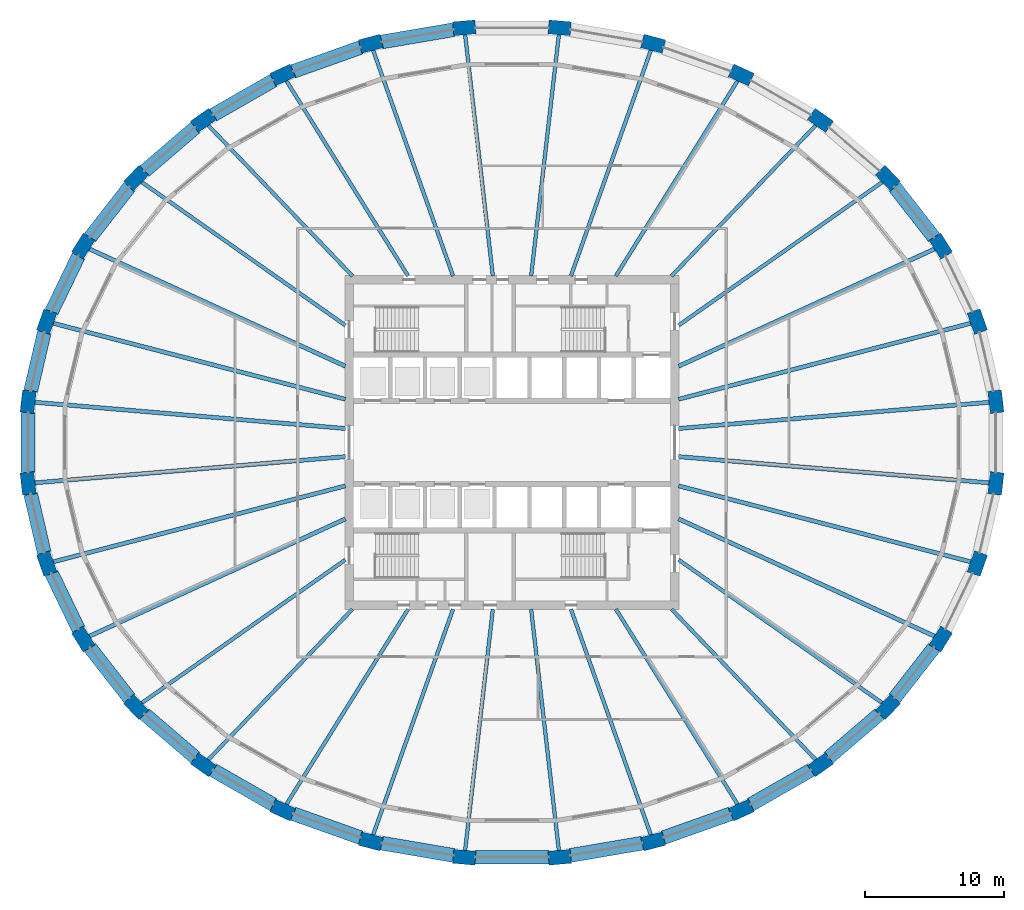
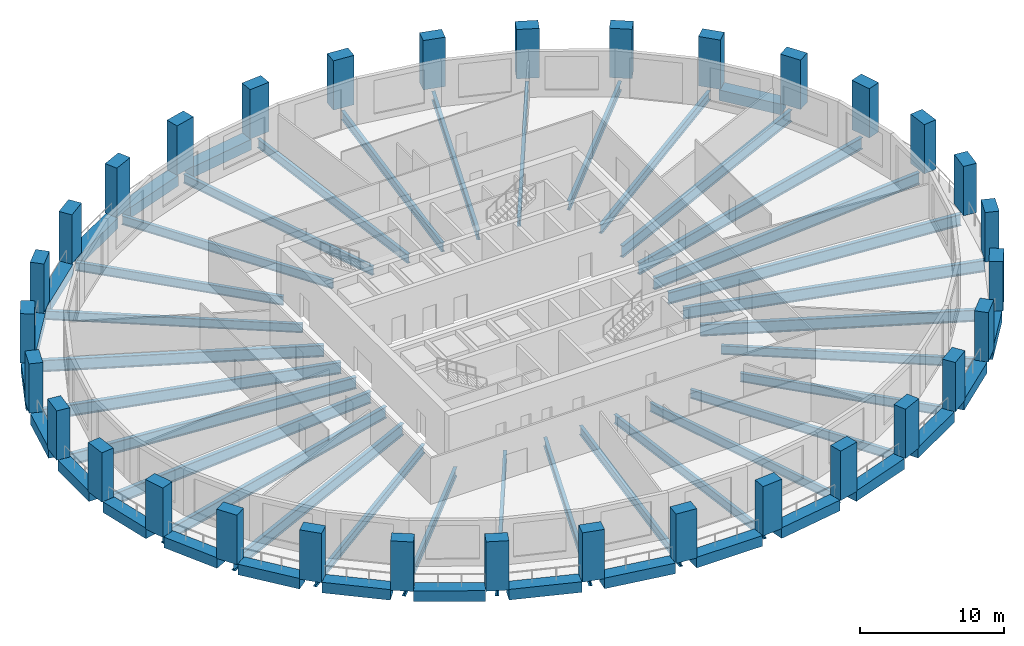
# One storey, part 1 of 10: 54 beams, 32 columns.
"""IFC4 building model written with IfcOpenShell, lengths in metres."""

from ifc_helpers import new_model, si_unit, direction, frame, origin, origin_2d, place, context, subcontext, project, spatial, rectangle, i_section, extrude, material, material_profile, profile_set, type_object, element, save


model = new_model("IFC4")

# Units and contexts
model_context = context("Model", 3, precision=1e-05, world=origin(), true_north=direction((0.0, 1.0)))
body_context = subcontext(model_context, "Body", "Model", "MODEL_VIEW")
ifc_project = project(units=[si_unit("LENGTHUNIT", "METRE"), si_unit("AREAUNIT", "SQUARE_METRE"), si_unit("VOLUMEUNIT", "CUBIC_METRE"), si_unit("PLANEANGLEUNIT", "RADIAN"), si_unit("MASSUNIT", "GRAM", prefix="KILO")], contexts=[model_context])

# Site, building, storey
site_placement = place(None, origin())
site = spatial("IfcSite", under=ifc_project, at=site_placement, CompositionType="ELEMENT")
building_placement = place(site_placement, origin())
building = spatial("IfcBuilding", under=site, at=building_placement, Name="Halqa Exchange Tower", CompositionType="ELEMENT")
storey_placement = place(building_placement, frame((0.0, 0.0, 117.10009765625)))
storey = spatial("IfcBuildingStorey", under=building, at=storey_placement, Name="L26", CompositionType="ELEMENT", Elevation=117.10009765625)

# Columns
ifc_material_1 = material(Name="Concrete C70/85", Category="concrete")
ifc_material_profile_1 = material_profile(ifc_material_1, rectangle(XDim=1.60009765625, YDim=1.0, at=origin_2d()), Name="1600 x 1000")
ifc_profile_set_1 = profile_set([ifc_material_profile_1], Name="Concrete C70/85")
column_type = type_object("IfcColumnType", Name="RC ring column 1600 x 1000 C70/85", PredefinedType="COLUMN", material=ifc_profile_set_1)
for number, where, z_axis, x_axis, name in (
    (1, (34.779052734375, 2.93603515625, 0.0), (0.0, 0.0, 1.0), (-0.114151720218, 0.993463328348, 0.0), "Ring column 1"),
    (2, (33.442626953125, 8.6953125, 0.0), (0.0, 0.0, 1.0), (-0.333624233576, 0.942706142321, 0.0), "Ring column 2"),
    (3, (30.82080078125, 14.12060546875, 0.0), (0.0, 0.0, 1.0), (-0.529141977228, 0.848533303964, 0.0), "Ring column 3"),
    (4, (27.0146484375, 19.003173828125, 0.0), (0.0, 0.0, 1.0), (-0.691573569977, 0.722306027463, 0.0), "Ring column 4"),
    (5, (22.17041015625, 23.155517578125, 0.0), (0.0, 0.0, 1.0), (-0.817906779671, 0.575350762377, 0.0), "Ring column 5"),
    (6, (16.47412109375, 26.41796875, 0.0), (0.0, 0.0, 1.0), (-0.909127095833, 0.416518815449, 0.0), "Ring column 6"),
    (7, (10.144775390625, 28.6650390625, 0.0), (0.0, 0.0, 1.0), (-0.967819942774, 0.251643713153, 0.0), "Ring column 7"),
    (8, (3.42529296875, 29.810791015625, 0.0), (0.0, 0.0, 1.0), (-0.996455518985, 0.084121333105, 0.0), "Ring column 8"),
    (9, (-3.42529296875, 29.810791015625, 0.0), (0.0, 0.0, 1.0), (-0.996455518985, -0.084121333105, 0.0), "Ring column 9"),
    (10, (-10.144775390625, 28.6650390625, 0.0), (0.0, 0.0, 1.0), (-0.967819942774, -0.251643713153, 0.0), "Ring column 10"),
    (11, (-16.47412109375, 26.41796875, 0.0), (0.0, 0.0, 1.0), (-0.909127095833, -0.416518815449, 0.0), "Ring column 11"),
    (12, (-22.17041015625, 23.155517578125, 0.0), (0.0, 0.0, 1.0), (-0.817906779671, -0.575350762377, 0.0), "Ring column 12"),
    (13, (-27.0146484375, 19.003173828125, 0.0), (0.0, 0.0, 1.0), (-0.691573569977, -0.722306027463, 0.0), "Ring column 13"),
    (14, (-30.82080078125, 14.12060546875, 0.0), (0.0, 0.0, 1.0), (-0.529141977228, -0.848533303964, 0.0), "Ring column 14"),
    (15, (-33.442626953125, 8.6953125, 0.0), (0.0, 0.0, 1.0), (-0.333624233576, -0.942706142321, 0.0), "Ring column 15"),
    (16, (-34.779052734375, 2.93603515625, 0.0), (0.0, 0.0, 1.0), (-0.114151720218, -0.993463328348, 0.0), "Ring column 16"),
    (17, (-34.779052734375, -2.93603515625, 0.0), (0.0, 0.0, 1.0), (0.114151720218, -0.993463328348, 0.0), "Ring column 17"),
    (18, (-33.442626953125, -8.6953125, 0.0), (0.0, 0.0, 1.0), (0.333624233576, -0.942706142321, 0.0), "Ring column 18"),
    (19, (-30.82080078125, -14.12060546875, 0.0), (0.0, 0.0, 1.0), (0.529141977228, -0.848533303964, 0.0), "Ring column 19"),
    (20, (-27.0146484375, -19.003173828125, 0.0), (0.0, 0.0, 1.0), (0.691573569977, -0.722306027463, 0.0), "Ring column 20"),
    (21, (-22.17041015625, -23.155517578125, 0.0), (0.0, 0.0, 1.0), (0.817906779671, -0.575350762377, 0.0), "Ring column 21"),
    (22, (-16.47412109375, -26.41796875, 0.0), (0.0, 0.0, 1.0), (0.909127095833, -0.416518815449, 0.0), "Ring column 22"),
    (23, (-10.144775390625, -28.6650390625, 0.0), (0.0, 0.0, 1.0), (0.967819942774, -0.251643713153, 0.0), "Ring column 23"),
    (24, (-3.42529296875, -29.810791015625, 0.0), (0.0, 0.0, 1.0), (0.996455518985, -0.084121333105, 0.0), "Ring column 24"),
    (25, (3.42529296875, -29.810791015625, 0.0), (0.0, 0.0, 1.0), (0.996455518985, 0.084121333105, 0.0), "Ring column 25"),
    (26, (10.144775390625, -28.6650390625, 0.0), (0.0, 0.0, 1.0), (0.967819942774, 0.251643713153, 0.0), "Ring column 26"),
    (27, (16.47412109375, -26.41796875, 0.0), (0.0, 0.0, 1.0), (0.909127095833, 0.416518815449, 0.0), "Ring column 27"),
    (28, (22.17041015625, -23.155517578125, 0.0), (0.0, 0.0, 1.0), (0.817906779671, 0.575350762377, 0.0), "Ring column 28"),
    (29, (27.0146484375, -19.003173828125, 0.0), (0.0, 0.0, 1.0), (0.691573569977, 0.722306027463, 0.0), "Ring column 29"),
    (30, (30.82080078125, -14.12060546875, 0.0), (0.0, 0.0, 1.0), (0.529141977228, 0.848533303964, 0.0), "Ring column 30"),
    (31, (33.442626953125, -8.6953125, 0.0), (0.0, 0.0, 1.0), (0.333624233576, 0.942706142321, 0.0), "Ring column 31"),
    (32, (34.779052734375, -2.93603515625, 0.0), (0.0, 0.0, 1.0), (0.114151720218, 0.993463328348, 0.0), "Ring column 32"),
):
    element("IfcColumn", number, at=place(storey_placement, frame(where, z_axis=z_axis, x_axis=x_axis)), inside=storey, type_object=column_type, Name=name, PredefinedType="COLUMN", context=body_context, shape_type="SweptSolid", body=[
        extrude(rectangle(XDim=1.60009765625, YDim=1.0, at=origin_2d()), origin(), (0.0, 0.0, 1.0), 4.199951171875),
    ])

# Beams
ifc_material_2 = material(Name="Steel S355", Category="steel")
ifc_material_profile_2 = material_profile(ifc_material_2, i_section(OverallWidth=0.300048828125, OverallDepth=0.989990234375, WebThickness=0.0166015625, FlangeThickness=0.031005859375, FilletRadius=0.030029296875, at=origin_2d()), Name="HEA 1000")
ifc_profile_set_2 = profile_set([ifc_material_profile_2], Name="Steel S355")
beam_type_1 = type_object("IfcBeamType", Name="Floor beam HEA 1000", PredefinedType="BEAM", material=ifc_profile_set_2)
beam_1_placement = place(storey_placement, frame((11.972412109375, 1.0107421875, -0.795166015625), z_axis=(0.996455592278, 0.084120464916, 0.0), x_axis=(-0.084120464916, 0.996455592278, 0.0)))
element("IfcBeam", 33, at=beam_1_placement, inside=storey, type_object=beam_type_1, Name="Radial beam 1", PredefinedType="BEAM", context=body_context, shape_type="SweptSolid", body=[
    extrude(i_section(OverallWidth=0.300048828125, OverallDepth=0.989990234375, WebThickness=0.0166015625, FlangeThickness=0.031005859375, FilletRadius=0.030029296875, at=origin_2d()), origin(), (0.0, 0.0, 1.0), 22.515869140625),
])
beam_2_placement = place(storey_placement, frame((11.97119140625, 3.112548828125, -0.795166015625), z_axis=(0.967818799343, 0.251648110738, 0.0), x_axis=(-0.251648110738, 0.967818799343, 0.0)))
element("IfcBeam", 34, at=beam_2_placement, inside=storey, type_object=beam_type_1, Name="Radial beam 2", PredefinedType="BEAM", context=body_context, shape_type="SweptSolid", body=[
    extrude(i_section(OverallWidth=0.300048828125, OverallDepth=0.989990234375, WebThickness=0.0166015625, FlangeThickness=0.031005859375, FilletRadius=0.030029296875, at=origin_2d()), origin(), (0.0, 0.0, 1.0), 21.811279296875),
])
for number, where, z_axis, x_axis, name in (
    (35, (11.972412109375, 5.485107421875, -0.795166015625), (0.909124057245, 0.416525447649, 0.0), (-0.416525447649, 0.909124057245, 0.0), "Radial beam 3"),
    (36, (-11.972412109375, 5.485107421875, -0.795166015625), (-0.909124057245, 0.416525447649, 0.0), (-0.416525447649, -0.909124057245, 0.0), "Radial beam 14"),
):
    element("IfcBeam", number, at=place(storey_placement, frame(where, z_axis=z_axis, x_axis=x_axis)), inside=storey, type_object=beam_type_1, Name=name, PredefinedType="BEAM", context=body_context, shape_type="SweptSolid", body=[
        extrude(i_section(OverallWidth=0.300048828125, OverallDepth=0.989990234375, WebThickness=0.0166015625, FlangeThickness=0.031005859375, FilletRadius=0.030029296875, at=origin_2d()), origin(), (0.0, 0.0, 1.0), 20.3564453125),
    ])
beam_3_placement = place(storey_placement, frame((-11.97119140625, 3.112548828125, -0.795166015625), z_axis=(-0.967818799343, 0.251648110738, 0.0), x_axis=(-0.251648110738, -0.967818799343, 0.0)))
element("IfcBeam", 37, at=beam_3_placement, inside=storey, type_object=beam_type_1, Name="Radial beam 15", PredefinedType="BEAM", context=body_context, shape_type="SweptSolid", body=[
    extrude(i_section(OverallWidth=0.300048828125, OverallDepth=0.989990234375, WebThickness=0.0166015625, FlangeThickness=0.031005859375, FilletRadius=0.030029296875, at=origin_2d()), origin(), (0.0, 0.0, 1.0), 21.811279296875),
])
for number, where, z_axis, x_axis, name in (
    (38, (-11.972412109375, 1.0107421875, -0.795166015625), (-0.996455592278, 0.084120464916, 0.0), (-0.084120464916, -0.996455592278, 0.0), "Radial beam 16"),
    (39, (-11.972412109375, -1.0107421875, -0.795166015625), (-0.996455592278, -0.084120464916, 0.0), (0.084120464916, -0.996455592278, 0.0), "Radial beam 17"),
):
    element("IfcBeam", number, at=place(storey_placement, frame(where, z_axis=z_axis, x_axis=x_axis)), inside=storey, type_object=beam_type_1, Name=name, PredefinedType="BEAM", context=body_context, shape_type="SweptSolid", body=[
        extrude(i_section(OverallWidth=0.300048828125, OverallDepth=0.989990234375, WebThickness=0.0166015625, FlangeThickness=0.031005859375, FilletRadius=0.030029296875, at=origin_2d()), origin(), (0.0, 0.0, 1.0), 22.515869140625),
    ])
beam_4_placement = place(storey_placement, frame((-11.97119140625, -3.112548828125, -0.795166015625), z_axis=(-0.967818799343, -0.251648110738, 0.0), x_axis=(0.251648110738, -0.967818799343, 0.0)))
element("IfcBeam", 40, at=beam_4_placement, inside=storey, type_object=beam_type_1, Name="Radial beam 18", PredefinedType="BEAM", context=body_context, shape_type="SweptSolid", body=[
    extrude(i_section(OverallWidth=0.300048828125, OverallDepth=0.989990234375, WebThickness=0.0166015625, FlangeThickness=0.031005859375, FilletRadius=0.030029296875, at=origin_2d()), origin(), (0.0, 0.0, 1.0), 21.811279296875),
])
for number, where, z_axis, x_axis, name in (
    (41, (-11.972412109375, -5.485107421875, -0.795166015625), (-0.909124057245, -0.416525447649, 0.0), (0.416525447649, -0.909124057245, 0.0), "Radial beam 19"),
    (42, (11.972412109375, -5.485107421875, -0.795166015625), (0.909124057245, -0.416525447649, 0.0), (0.416525447649, 0.909124057245, 0.0), "Radial beam 30"),
):
    element("IfcBeam", number, at=place(storey_placement, frame(where, z_axis=z_axis, x_axis=x_axis)), inside=storey, type_object=beam_type_1, Name=name, PredefinedType="BEAM", context=body_context, shape_type="SweptSolid", body=[
        extrude(i_section(OverallWidth=0.300048828125, OverallDepth=0.989990234375, WebThickness=0.0166015625, FlangeThickness=0.031005859375, FilletRadius=0.030029296875, at=origin_2d()), origin(), (0.0, 0.0, 1.0), 20.3564453125),
    ])
beam_5_placement = place(storey_placement, frame((11.97119140625, -3.112548828125, -0.795166015625), z_axis=(0.967818799343, -0.251648110738, 0.0), x_axis=(0.251648110738, 0.967818799343, 0.0)))
element("IfcBeam", 43, at=beam_5_placement, inside=storey, type_object=beam_type_1, Name="Radial beam 31", PredefinedType="BEAM", context=body_context, shape_type="SweptSolid", body=[
    extrude(i_section(OverallWidth=0.300048828125, OverallDepth=0.989990234375, WebThickness=0.0166015625, FlangeThickness=0.031005859375, FilletRadius=0.030029296875, at=origin_2d()), origin(), (0.0, 0.0, 1.0), 21.811279296875),
])
beam_6_placement = place(storey_placement, frame((11.972412109375, -1.0107421875, -0.795166015625), z_axis=(0.996455592278, -0.084120464916, 0.0), x_axis=(0.084120464916, 0.996455592278, 0.0)))
element("IfcBeam", 44, at=beam_6_placement, inside=storey, type_object=beam_type_1, Name="Radial beam 32", PredefinedType="BEAM", context=body_context, shape_type="SweptSolid", body=[
    extrude(i_section(OverallWidth=0.300048828125, OverallDepth=0.989990234375, WebThickness=0.0166015625, FlangeThickness=0.031005859375, FilletRadius=0.030029296875, at=origin_2d()), origin(), (0.0, 0.0, 1.0), 22.515869140625),
])
ifc_material_profile_3 = material_profile(ifc_material_2, i_section(OverallWidth=0.264892578125, OverallDepth=0.7529296875, WebThickness=0.01318359375, FlangeThickness=0.01708984375, FilletRadius=0.01708984375, at=origin_2d()), Name="IPE 750x147")
ifc_profile_set_3 = profile_set([ifc_material_profile_3], Name="Steel S355")
beam_type_2 = type_object("IfcBeamType", Name="Floor beam IPE 750x147", PredefinedType="BEAM", material=ifc_profile_set_3)
beam_7_placement = place(storey_placement, frame((11.97216796875, 8.421630859375, -0.676513671875), z_axis=(0.817908690116, 0.575348046518, 0.0), x_axis=(-0.575348046518, 0.817908690116, 0.0)))
element("IfcBeam", 45, at=beam_7_placement, inside=storey, type_object=beam_type_2, Name="Radial beam 4", PredefinedType="BEAM", context=body_context, shape_type="SweptSolid", body=[
    extrude(i_section(OverallWidth=0.264892578125, OverallDepth=0.7529296875, WebThickness=0.01318359375, FlangeThickness=0.01708984375, FilletRadius=0.01708984375, at=origin_2d()), origin(), (0.0, 0.0, 1.0), 18.015625),
])
beam_8_placement = place(storey_placement, frame((11.462890625, 11.97216796875, -0.676513671875), z_axis=(0.691578854381, 0.722300967861, 0.0), x_axis=(-0.722300967861, 0.691578854381, 0.0)))
element("IfcBeam", 46, at=beam_8_placement, inside=storey, type_object=beam_type_2, Name="Radial beam 5", PredefinedType="BEAM", context=body_context, shape_type="SweptSolid", body=[
    extrude(i_section(OverallWidth=0.264892578125, OverallDepth=0.7529296875, WebThickness=0.01318359375, FlangeThickness=0.01708984375, FilletRadius=0.01708984375, at=origin_2d()), origin(), (0.0, 0.0, 1.0), 15.106689453125),
])
beam_9_placement = place(storey_placement, frame((7.466064453125, 11.972412109375, -0.676513671875), z_axis=(0.529136571558, 0.848536674894, 0.0), x_axis=(-0.848536674894, 0.529136571558, 0.0)))
element("IfcBeam", 47, at=beam_9_placement, inside=storey, type_object=beam_type_2, Name="Radial beam 6", PredefinedType="BEAM", context=body_context, shape_type="SweptSolid", body=[
    extrude(i_section(OverallWidth=0.264892578125, OverallDepth=0.7529296875, WebThickness=0.01318359375, FlangeThickness=0.01708984375, FilletRadius=0.01708984375, at=origin_2d()), origin(), (0.0, 0.0, 1.0), 16.64794921875),
])
beam_10_placement = place(storey_placement, frame((4.23681640625, 11.9716796875, -0.676513671875), z_axis=(0.333633340588, 0.942702919295, 0.0), x_axis=(-0.942702919295, 0.333633340588, 0.0)))
element("IfcBeam", 48, at=beam_10_placement, inside=storey, type_object=beam_type_2, Name="Radial beam 7", PredefinedType="BEAM", context=body_context, shape_type="SweptSolid", body=[
    extrude(i_section(OverallWidth=0.264892578125, OverallDepth=0.7529296875, WebThickness=0.01318359375, FlangeThickness=0.01708984375, FilletRadius=0.01708984375, at=origin_2d()), origin(), (0.0, 0.0, 1.0), 17.333984375),
])
for number, where, z_axis, x_axis, name in (
    (49, (1.375732421875, 11.972900390625, -0.676513671875), (0.114147670823, 0.993463793626, 0.0), (-0.993463793626, 0.114147670823, 0.0), "Radial beam 8"),
    (50, (-1.375732421875, 11.972900390625, -0.676513671875), (-0.114147670823, 0.993463793626, 0.0), (-0.993463793626, -0.114147670823, 0.0), "Radial beam 9"),
):
    element("IfcBeam", number, at=place(storey_placement, frame(where, z_axis=z_axis, x_axis=x_axis)), inside=storey, type_object=beam_type_2, Name=name, PredefinedType="BEAM", context=body_context, shape_type="SweptSolid", body=[
        extrude(i_section(OverallWidth=0.264892578125, OverallDepth=0.7529296875, WebThickness=0.01318359375, FlangeThickness=0.01708984375, FilletRadius=0.01708984375, at=origin_2d()), origin(), (0.0, 0.0, 1.0), 17.583251953125),
    ])
beam_11_placement = place(storey_placement, frame((-4.23681640625, 11.9716796875, -0.676513671875), z_axis=(-0.333633340588, 0.942702919295, 0.0), x_axis=(-0.942702919295, -0.333633340588, 0.0)))
element("IfcBeam", 51, at=beam_11_placement, inside=storey, type_object=beam_type_2, Name="Radial beam 10", PredefinedType="BEAM", context=body_context, shape_type="SweptSolid", body=[
    extrude(i_section(OverallWidth=0.264892578125, OverallDepth=0.7529296875, WebThickness=0.01318359375, FlangeThickness=0.01708984375, FilletRadius=0.01708984375, at=origin_2d()), origin(), (0.0, 0.0, 1.0), 17.333984375),
])
beam_12_placement = place(storey_placement, frame((-7.466064453125, 11.972412109375, -0.676513671875), z_axis=(-0.529136571558, 0.848536674894, 0.0), x_axis=(-0.848536674894, -0.529136571558, 0.0)))
element("IfcBeam", 52, at=beam_12_placement, inside=storey, type_object=beam_type_2, Name="Radial beam 11", PredefinedType="BEAM", context=body_context, shape_type="SweptSolid", body=[
    extrude(i_section(OverallWidth=0.264892578125, OverallDepth=0.7529296875, WebThickness=0.01318359375, FlangeThickness=0.01708984375, FilletRadius=0.01708984375, at=origin_2d()), origin(), (0.0, 0.0, 1.0), 16.64794921875),
])
beam_13_placement = place(storey_placement, frame((-11.462890625, 11.97216796875, -0.676513671875), z_axis=(-0.691578854381, 0.722300967861, 0.0), x_axis=(-0.722300967861, -0.691578854381, 0.0)))
element("IfcBeam", 53, at=beam_13_placement, inside=storey, type_object=beam_type_2, Name="Radial beam 12", PredefinedType="BEAM", context=body_context, shape_type="SweptSolid", body=[
    extrude(i_section(OverallWidth=0.264892578125, OverallDepth=0.7529296875, WebThickness=0.01318359375, FlangeThickness=0.01708984375, FilletRadius=0.01708984375, at=origin_2d()), origin(), (0.0, 0.0, 1.0), 15.106689453125),
])
for number, where, z_axis, x_axis, name in (
    (54, (-11.97216796875, 8.421630859375, -0.676513671875), (-0.817908690116, 0.575348046518, 0.0), (-0.575348046518, -0.817908690116, 0.0), "Radial beam 13"),
    (55, (-11.97216796875, -8.421630859375, -0.676513671875), (-0.817908690116, -0.575348046518, 0.0), (0.575348046518, -0.817908690116, 0.0), "Radial beam 20"),
):
    element("IfcBeam", number, at=place(storey_placement, frame(where, z_axis=z_axis, x_axis=x_axis)), inside=storey, type_object=beam_type_2, Name=name, PredefinedType="BEAM", context=body_context, shape_type="SweptSolid", body=[
        extrude(i_section(OverallWidth=0.264892578125, OverallDepth=0.7529296875, WebThickness=0.01318359375, FlangeThickness=0.01708984375, FilletRadius=0.01708984375, at=origin_2d()), origin(), (0.0, 0.0, 1.0), 18.015625),
    ])
beam_14_placement = place(storey_placement, frame((-11.462890625, -11.97216796875, -0.676513671875), z_axis=(-0.691578854381, -0.722300967861, 0.0), x_axis=(0.722300967861, -0.691578854381, 0.0)))
element("IfcBeam", 56, at=beam_14_placement, inside=storey, type_object=beam_type_2, Name="Radial beam 21", PredefinedType="BEAM", context=body_context, shape_type="SweptSolid", body=[
    extrude(i_section(OverallWidth=0.264892578125, OverallDepth=0.7529296875, WebThickness=0.01318359375, FlangeThickness=0.01708984375, FilletRadius=0.01708984375, at=origin_2d()), origin(), (0.0, 0.0, 1.0), 15.106689453125),
])
beam_15_placement = place(storey_placement, frame((-7.466064453125, -11.972412109375, -0.676513671875), z_axis=(-0.529136571558, -0.848536674894, 0.0), x_axis=(0.848536674894, -0.529136571558, 0.0)))
element("IfcBeam", 57, at=beam_15_placement, inside=storey, type_object=beam_type_2, Name="Radial beam 22", PredefinedType="BEAM", context=body_context, shape_type="SweptSolid", body=[
    extrude(i_section(OverallWidth=0.264892578125, OverallDepth=0.7529296875, WebThickness=0.01318359375, FlangeThickness=0.01708984375, FilletRadius=0.01708984375, at=origin_2d()), origin(), (0.0, 0.0, 1.0), 16.64794921875),
])
beam_16_placement = place(storey_placement, frame((-4.23681640625, -11.9716796875, -0.676513671875), z_axis=(-0.333633340588, -0.942702919295, 0.0), x_axis=(0.942702919295, -0.333633340588, 0.0)))
element("IfcBeam", 58, at=beam_16_placement, inside=storey, type_object=beam_type_2, Name="Radial beam 23", PredefinedType="BEAM", context=body_context, shape_type="SweptSolid", body=[
    extrude(i_section(OverallWidth=0.264892578125, OverallDepth=0.7529296875, WebThickness=0.01318359375, FlangeThickness=0.01708984375, FilletRadius=0.01708984375, at=origin_2d()), origin(), (0.0, 0.0, 1.0), 17.333984375),
])
for number, where, z_axis, x_axis, name in (
    (59, (-1.375732421875, -11.972900390625, -0.676513671875), (-0.114147670823, -0.993463793626, 0.0), (0.993463793626, -0.114147670823, 0.0), "Radial beam 24"),
    (60, (1.375732421875, -11.972900390625, -0.676513671875), (0.114147670823, -0.993463793626, 0.0), (0.993463793626, 0.114147670823, 0.0), "Radial beam 25"),
):
    element("IfcBeam", number, at=place(storey_placement, frame(where, z_axis=z_axis, x_axis=x_axis)), inside=storey, type_object=beam_type_2, Name=name, PredefinedType="BEAM", context=body_context, shape_type="SweptSolid", body=[
        extrude(i_section(OverallWidth=0.264892578125, OverallDepth=0.7529296875, WebThickness=0.01318359375, FlangeThickness=0.01708984375, FilletRadius=0.01708984375, at=origin_2d()), origin(), (0.0, 0.0, 1.0), 17.583251953125),
    ])
beam_17_placement = place(storey_placement, frame((4.23681640625, -11.9716796875, -0.676513671875), z_axis=(0.333633340588, -0.942702919295, 0.0), x_axis=(0.942702919295, 0.333633340588, 0.0)))
element("IfcBeam", 61, at=beam_17_placement, inside=storey, type_object=beam_type_2, Name="Radial beam 26", PredefinedType="BEAM", context=body_context, shape_type="SweptSolid", body=[
    extrude(i_section(OverallWidth=0.264892578125, OverallDepth=0.7529296875, WebThickness=0.01318359375, FlangeThickness=0.01708984375, FilletRadius=0.01708984375, at=origin_2d()), origin(), (0.0, 0.0, 1.0), 17.333984375),
])
beam_18_placement = place(storey_placement, frame((7.466064453125, -11.972412109375, -0.676513671875), z_axis=(0.529136571558, -0.848536674894, 0.0), x_axis=(0.848536674894, 0.529136571558, 0.0)))
element("IfcBeam", 62, at=beam_18_placement, inside=storey, type_object=beam_type_2, Name="Radial beam 27", PredefinedType="BEAM", context=body_context, shape_type="SweptSolid", body=[
    extrude(i_section(OverallWidth=0.264892578125, OverallDepth=0.7529296875, WebThickness=0.01318359375, FlangeThickness=0.01708984375, FilletRadius=0.01708984375, at=origin_2d()), origin(), (0.0, 0.0, 1.0), 16.64794921875),
])
beam_19_placement = place(storey_placement, frame((11.462890625, -11.97216796875, -0.676513671875), z_axis=(0.691578854381, -0.722300967861, 0.0), x_axis=(0.722300967861, 0.691578854381, 0.0)))
element("IfcBeam", 63, at=beam_19_placement, inside=storey, type_object=beam_type_2, Name="Radial beam 28", PredefinedType="BEAM", context=body_context, shape_type="SweptSolid", body=[
    extrude(i_section(OverallWidth=0.264892578125, OverallDepth=0.7529296875, WebThickness=0.01318359375, FlangeThickness=0.01708984375, FilletRadius=0.01708984375, at=origin_2d()), origin(), (0.0, 0.0, 1.0), 15.106689453125),
])
beam_20_placement = place(storey_placement, frame((11.97216796875, -8.421630859375, -0.676513671875), z_axis=(0.817908690116, -0.575348046518, 0.0), x_axis=(0.575348046518, 0.817908690116, 0.0)))
element("IfcBeam", 64, at=beam_20_placement, inside=storey, type_object=beam_type_2, Name="Radial beam 29", PredefinedType="BEAM", context=body_context, shape_type="SweptSolid", body=[
    extrude(i_section(OverallWidth=0.264892578125, OverallDepth=0.7529296875, WebThickness=0.01318359375, FlangeThickness=0.01708984375, FilletRadius=0.01708984375, at=origin_2d()), origin(), (0.0, 0.0, 1.0), 18.015625),
])
ifc_material_3 = material(Name="Concrete C60/75", Category="concrete")
ifc_material_profile_4 = material_profile(ifc_material_3, rectangle(XDim=1.0, YDim=0.89990234375, at=origin_2d()), Name="1000 x 900")
ifc_profile_set_4 = profile_set([ifc_material_profile_4], Name="Concrete C60/75")
beam_type_3 = type_object("IfcBeamType", Name="RC spandrel beam 1000 x 900 C60/75", PredefinedType="SPANDREL", material=ifc_profile_set_4)
beam_21_placement = place(storey_placement, frame((30.34423828125, 14.732177734375, -0.4501953125), z_axis=(-0.61480732631, 0.788677343098, 0.0), x_axis=(-0.788677343098, -0.61480732631, 0.0)))
element("IfcBeam", 65, at=beam_21_placement, inside=storey, type_object=beam_type_3, Name="Spandrel 3", PredefinedType="SPANDREL", context=body_context, shape_type="SweptSolid", body=[
    extrude(rectangle(XDim=1.0, YDim=0.89990234375, at=origin_2d()), origin(), (0.0, 0.0, 1.0), 4.639404296875),
])
beam_22_placement = place(storey_placement, frame((-4.189453125, 29.680419921875, -0.4501953125), z_axis=(-0.985775606533, -0.168066812797, 0.0), x_axis=(0.168066812797, -0.985775606533, 0.0)))
element("IfcBeam", 66, at=beam_22_placement, inside=storey, type_object=beam_type_3, Name="Spandrel 9", PredefinedType="SPANDREL", context=body_context, shape_type="SweptSolid", body=[
    extrude(rectangle(XDim=1.0, YDim=0.89990234375, at=origin_2d()), origin(), (0.0, 0.0, 1.0), 5.265869140625),
])
beam_23_placement = place(storey_placement, frame((-10.8759765625, 28.405517578125, -0.4501953125), z_axis=(-0.942360462003, -0.334599401754, 0.0), x_axis=(0.334599401754, -0.942360462003, 0.0)))
element("IfcBeam", 67, at=beam_23_placement, inside=storey, type_object=beam_type_3, Name="Spandrel 10", PredefinedType="SPANDREL", context=body_context, shape_type="SweptSolid", body=[
    extrude(rectangle(XDim=1.0, YDim=0.89990234375, at=origin_2d()), origin(), (0.0, 0.0, 1.0), 5.166015625),
])
beam_24_placement = place(storey_placement, frame((-17.14697265625, 26.032470703125, -0.4501953125), z_axis=(-0.867751350461, -0.496998585283, 0.0), x_axis=(0.496998585283, -0.867751350461, 0.0)))
element("IfcBeam", 68, at=beam_24_placement, inside=storey, type_object=beam_type_3, Name="Spandrel 11", PredefinedType="SPANDREL", context=body_context, shape_type="SweptSolid", body=[
    extrude(rectangle(XDim=1.0, YDim=0.89990234375, at=origin_2d()), origin(), (0.0, 0.0, 1.0), 5.014404296875),
])
beam_25_placement = place(storey_placement, frame((-22.75927734375, 22.650634765625, -0.4501953125), z_axis=(-0.759285146525, -0.650758070459, 0.0), x_axis=(0.650758070459, -0.759285146525, 0.0)))
element("IfcBeam", 69, at=beam_25_placement, inside=storey, type_object=beam_type_3, Name="Spandrel 12", PredefinedType="SPANDREL", context=body_context, shape_type="SweptSolid", body=[
    extrude(rectangle(XDim=1.0, YDim=0.89990234375, at=origin_2d()), origin(), (0.0, 0.0, 1.0), 4.829833984375),
])
beam_26_placement = place(storey_placement, frame((-27.491943359375, 18.39111328125, -0.4501953125), z_axis=(-0.61480732631, -0.788677343098, 0.0), x_axis=(0.788677343098, -0.61480732631, 0.0)))
element("IfcBeam", 70, at=beam_26_placement, inside=storey, type_object=beam_type_3, Name="Spandrel 13", PredefinedType="SPANDREL", context=body_context, shape_type="SweptSolid", body=[
    extrude(rectangle(XDim=1.0, YDim=0.89990234375, at=origin_2d()), origin(), (0.0, 0.0, 1.0), 4.639404296875),
])
beam_27_placement = place(storey_placement, frame((-31.15869140625, 13.42138671875, -0.4501953125), z_axis=(-0.435117021664, -0.900373909805, 0.0), x_axis=(0.900373909805, -0.435117021664, 0.0)))
element("IfcBeam", 71, at=beam_27_placement, inside=storey, type_object=beam_type_3, Name="Spandrel 14", PredefinedType="SPANDREL", context=body_context, shape_type="SweptSolid", body=[
    extrude(rectangle(XDim=1.0, YDim=0.89990234375, at=origin_2d()), origin(), (0.0, 0.0, 1.0), 4.471435546875),
])
beam_28_placement = place(storey_placement, frame((-33.6181640625, 7.93896484375, -0.4501953125), z_axis=(-0.226066118641, -0.974111959686, 0.0), x_axis=(0.974111959686, -0.226066118641, 0.0)))
element("IfcBeam", 72, at=beam_28_placement, inside=storey, type_object=beam_type_3, Name="Spandrel 15", PredefinedType="SPANDREL", context=body_context, shape_type="SweptSolid", body=[
    extrude(rectangle(XDim=1.0, YDim=0.89990234375, at=origin_2d()), origin(), (0.0, 0.0, 1.0), 4.358642578125),
])
beam_29_placement = place(storey_placement, frame((-34.779052734375, 2.15869140625, -0.4501953125), z_axis=(0.0, -1.0, 0.0), x_axis=(1.0, 0.0, 0.0)))
element("IfcBeam", 73, at=beam_29_placement, inside=storey, type_object=beam_type_3, Name="Spandrel 16", PredefinedType="SPANDREL", context=body_context, shape_type="SweptSolid", body=[
    extrude(rectangle(XDim=1.0, YDim=0.89990234375, at=origin_2d()), origin(), (0.0, 0.0, 1.0), 4.3173828125),
])
beam_30_placement = place(storey_placement, frame((-34.603515625, -3.693115234375, -0.4501953125), z_axis=(0.226066118641, -0.974111959686, 0.0), x_axis=(0.974111959686, 0.226066118641, 0.0)))
element("IfcBeam", 74, at=beam_30_placement, inside=storey, type_object=beam_type_3, Name="Spandrel 17", PredefinedType="SPANDREL", context=body_context, shape_type="SweptSolid", body=[
    extrude(rectangle(XDim=1.0, YDim=0.89990234375, at=origin_2d()), origin(), (0.0, 0.0, 1.0), 4.358642578125),
])
beam_31_placement = place(storey_placement, frame((-33.104248046875, -9.3955078125, -0.4501953125), z_axis=(0.435117021664, -0.900373909805, 0.0), x_axis=(0.900373909805, 0.435117021664, 0.0)))
element("IfcBeam", 75, at=beam_31_placement, inside=storey, type_object=beam_type_3, Name="Spandrel 18", PredefinedType="SPANDREL", context=body_context, shape_type="SweptSolid", body=[
    extrude(rectangle(XDim=1.0, YDim=0.89990234375, at=origin_2d()), origin(), (0.0, 0.0, 1.0), 4.471435546875),
])
beam_32_placement = place(storey_placement, frame((-30.34423828125, -14.732177734375, -0.4501953125), z_axis=(0.61480732631, -0.788677343098, 0.0), x_axis=(0.788677343098, 0.61480732631, 0.0)))
element("IfcBeam", 76, at=beam_32_placement, inside=storey, type_object=beam_type_3, Name="Spandrel 19", PredefinedType="SPANDREL", context=body_context, shape_type="SweptSolid", body=[
    extrude(rectangle(XDim=1.0, YDim=0.89990234375, at=origin_2d()), origin(), (0.0, 0.0, 1.0), 4.639404296875),
])
beam_33_placement = place(storey_placement, frame((-26.426513671875, -19.507568359375, -0.4501953125), z_axis=(0.759285146525, -0.650758070459, 0.0), x_axis=(0.650758070459, 0.759285146525, 0.0)))
element("IfcBeam", 77, at=beam_33_placement, inside=storey, type_object=beam_type_3, Name="Spandrel 20", PredefinedType="SPANDREL", context=body_context, shape_type="SweptSolid", body=[
    extrude(rectangle(XDim=1.0, YDim=0.89990234375, at=origin_2d()), origin(), (0.0, 0.0, 1.0), 4.829833984375),
])
beam_34_placement = place(storey_placement, frame((-21.498291015625, -23.540283203125, -0.4501953125), z_axis=(0.867751350461, -0.496998585283, 0.0), x_axis=(0.496998585283, 0.867751350461, 0.0)))
element("IfcBeam", 78, at=beam_34_placement, inside=storey, type_object=beam_type_3, Name="Spandrel 21", PredefinedType="SPANDREL", context=body_context, shape_type="SweptSolid", body=[
    extrude(rectangle(XDim=1.0, YDim=0.89990234375, at=origin_2d()), origin(), (0.0, 0.0, 1.0), 5.014404296875),
])
beam_35_placement = place(storey_placement, frame((-15.744140625, -26.677001953125, -0.4501953125), z_axis=(0.942360462003, -0.334599401754, 0.0), x_axis=(0.334599401754, 0.942360462003, 0.0)))
element("IfcBeam", 79, at=beam_35_placement, inside=storey, type_object=beam_type_3, Name="Spandrel 22", PredefinedType="SPANDREL", context=body_context, shape_type="SweptSolid", body=[
    extrude(rectangle(XDim=1.0, YDim=0.89990234375, at=origin_2d()), origin(), (0.0, 0.0, 1.0), 5.166015625),
])
beam_36_placement = place(storey_placement, frame((-9.38037109375, -28.79541015625, -0.4501953125), z_axis=(0.985775606533, -0.168066812797, 0.0), x_axis=(0.168066812797, 0.985775606533, 0.0)))
element("IfcBeam", 80, at=beam_36_placement, inside=storey, type_object=beam_type_3, Name="Spandrel 23", PredefinedType="SPANDREL", context=body_context, shape_type="SweptSolid", body=[
    extrude(rectangle(XDim=1.0, YDim=0.89990234375, at=origin_2d()), origin(), (0.0, 0.0, 1.0), 5.265869140625),
])
beam_37_placement = place(storey_placement, frame((-2.650634765625, -29.810791015625, -0.4501953125), z_axis=(1.0, 0.0, 0.0), x_axis=(0.0, 1.0, 0.0)))
element("IfcBeam", 81, at=beam_37_placement, inside=storey, type_object=beam_type_3, Name="Spandrel 24", PredefinedType="SPANDREL", context=body_context, shape_type="SweptSolid", body=[
    extrude(rectangle(XDim=1.0, YDim=0.89990234375, at=origin_2d()), origin(), (0.0, 0.0, 1.0), 5.30126953125),
])
beam_38_placement = place(storey_placement, frame((4.189453125, -29.680419921875, -0.4501953125), z_axis=(0.985775606533, 0.168066812797, 0.0), x_axis=(-0.168066812797, 0.985775606533, 0.0)))
element("IfcBeam", 82, at=beam_38_placement, inside=storey, type_object=beam_type_3, Name="Spandrel 25", PredefinedType="SPANDREL", context=body_context, shape_type="SweptSolid", body=[
    extrude(rectangle(XDim=1.0, YDim=0.89990234375, at=origin_2d()), origin(), (0.0, 0.0, 1.0), 5.265869140625),
])
beam_39_placement = place(storey_placement, frame((10.8759765625, -28.405517578125, -0.4501953125), z_axis=(0.942360462003, 0.334599401754, 0.0), x_axis=(-0.334599401754, 0.942360462003, 0.0)))
element("IfcBeam", 83, at=beam_39_placement, inside=storey, type_object=beam_type_3, Name="Spandrel 26", PredefinedType="SPANDREL", context=body_context, shape_type="SweptSolid", body=[
    extrude(rectangle(XDim=1.0, YDim=0.89990234375, at=origin_2d()), origin(), (0.0, 0.0, 1.0), 5.166015625),
])
beam_40_placement = place(storey_placement, frame((17.14697265625, -26.032470703125, -0.4501953125), z_axis=(0.867751350461, 0.496998585283, 0.0), x_axis=(-0.496998585283, 0.867751350461, 0.0)))
element("IfcBeam", 84, at=beam_40_placement, inside=storey, type_object=beam_type_3, Name="Spandrel 27", PredefinedType="SPANDREL", context=body_context, shape_type="SweptSolid", body=[
    extrude(rectangle(XDim=1.0, YDim=0.89990234375, at=origin_2d()), origin(), (0.0, 0.0, 1.0), 5.014404296875),
])
beam_41_placement = place(storey_placement, frame((22.75927734375, -22.650634765625, -0.4501953125), z_axis=(0.759285146525, 0.650758070459, 0.0), x_axis=(-0.650758070459, 0.759285146525, 0.0)))
element("IfcBeam", 85, at=beam_41_placement, inside=storey, type_object=beam_type_3, Name="Spandrel 28", PredefinedType="SPANDREL", context=body_context, shape_type="SweptSolid", body=[
    extrude(rectangle(XDim=1.0, YDim=0.89990234375, at=origin_2d()), origin(), (0.0, 0.0, 1.0), 4.829833984375),
])
beam_42_placement = place(storey_placement, frame((27.491943359375, -18.39111328125, -0.4501953125), z_axis=(0.61480732631, 0.788677343098, 0.0), x_axis=(-0.788677343098, 0.61480732631, 0.0)))
element("IfcBeam", 86, at=beam_42_placement, inside=storey, type_object=beam_type_3, Name="Spandrel 29", PredefinedType="SPANDREL", context=body_context, shape_type="SweptSolid", body=[
    extrude(rectangle(XDim=1.0, YDim=0.89990234375, at=origin_2d()), origin(), (0.0, 0.0, 1.0), 4.639404296875),
])

save(model, "model.ifc")
